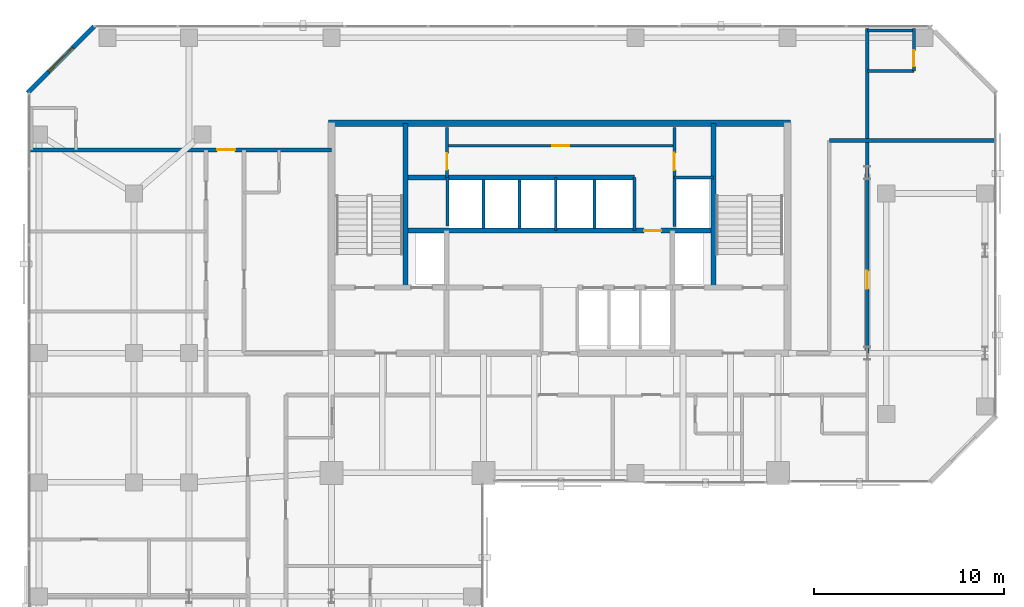
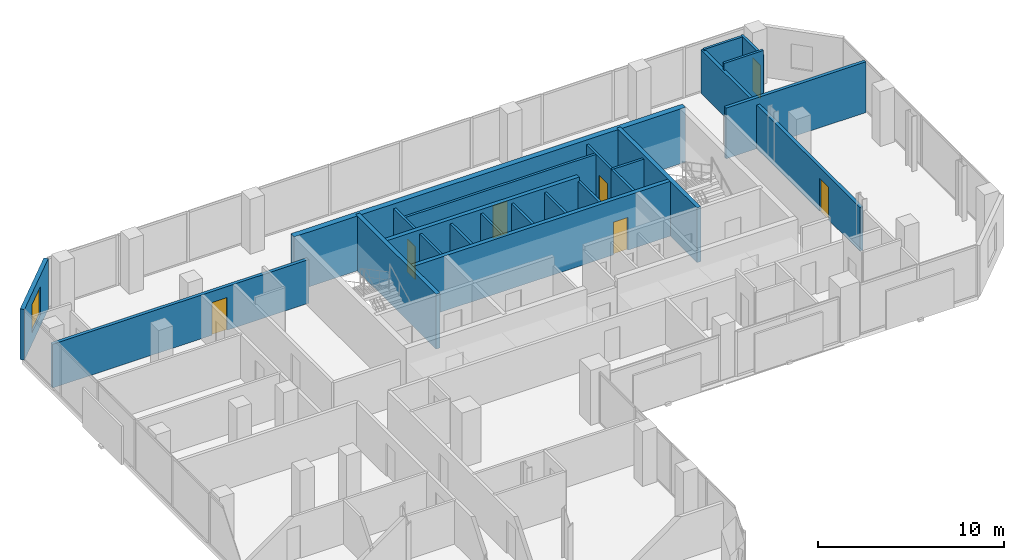
# One storey, part 30 of 34: 23 walls, 7 doors, 1 window, 8 openings.
"""IFC4 building model written with IfcOpenShell, lengths in metres."""

from ifc_helpers import new_model, si_unit, direction, frame, frame_2d, origin, place, context, subcontext, project, spatial, rectangle, extrude, material, layer, layer_set, type_object, element, fill, save


model = new_model("IFC4")

# Units and contexts
model_context = context("Model", 3, precision=1e-05, world=origin(), true_north=direction((0.0, 1.0)))
body_context = subcontext(model_context, "Body", "Model", "MODEL_VIEW")
ifc_project = project(units=[si_unit("LENGTHUNIT", "METRE"), si_unit("AREAUNIT", "SQUARE_METRE"), si_unit("VOLUMEUNIT", "CUBIC_METRE"), si_unit("PLANEANGLEUNIT", "RADIAN"), si_unit("MASSUNIT", "GRAM", prefix="KILO")], contexts=[model_context])

# Site, building, storey
site_placement = place(None, origin())
site = spatial("IfcSite", under=ifc_project, at=site_placement, CompositionType="ELEMENT")
building_placement = place(site_placement, origin())
building = spatial("IfcBuilding", under=site, at=building_placement, Name="Catumbela Crestline Tower", CompositionType="ELEMENT")
storey_placement = place(building_placement, frame((0.0, 0.0, 111.6)))
storey = spatial("IfcBuildingStorey", under=building, at=storey_placement, Name="L28", CompositionType="ELEMENT", Elevation=111.6)

# Walls
ifc_material_1 = material(Name="Concrete C50/60", Category="concrete")
ifc_layer_1 = layer(ifc_material_1, 0.25, Name="Concrete C50/60")
ifc_layer_set_1 = layer_set([ifc_layer_1], Name="Concrete C50/60")
wall_type_1 = type_object("IfcWallType", Name="CW-250D", PredefinedType="SHEAR", material=ifc_layer_set_1)
for number, where, z_axis, x_axis, name in (
    (1, (19.9, 34.25, 0.0), (0.0, 0.0, 1.0), (0.0, 1.0, 0.0), "L28 Structural Core Shear Wall WWEB"),
    (2, (36.1, 34.25, 0.0), (0.0, 0.0, 1.0), (0.0, 1.0, 0.0), "L28 Structural Core Shear Wall EWEB"),
):
    element("IfcWall", number, at=place(storey_placement, frame(where, z_axis=z_axis, x_axis=x_axis)), inside=storey, type_object=wall_type_1, Name=name, PredefinedType="SHEAR", context=body_context, shape_type="SweptSolid", body=[
        extrude(rectangle(XDim=8.65, YDim=0.25, at=frame_2d((4.325, 0.0))), origin(), (0.0, 0.0, 1.0), 3.6),
    ])

# Wall, opening, door
wall_1_placement = place(storey_placement, frame((19.9, 37.25, 0.0), z_axis=(0.0, 0.0, 1.0), x_axis=(1.0, 0.0, 0.0)))
wall_1 = element("IfcWall", 3, at=wall_1_placement, inside=storey, type_object=wall_type_1, Name="L28 Structural Core Shear Wall LIFTN", PredefinedType="SHEAR", context=body_context, shape_type="SweptSolid", body=[
    extrude(rectangle(XDim=16.2, YDim=0.25, at=frame_2d((8.1, 0.0))), origin(), (0.0, 0.0, 1.0), 3.6),
])
opening_1_placement = place(wall_1_placement, frame((12.55, 0.0, 0.0)))
opening_1 = element("IfcOpeningElement", 4, at=opening_1_placement, cuts=wall_1, Name="Opening DF9-090", PredefinedType="OPENING", context=body_context, shape_type="SweptSolid", body=[
    extrude(rectangle(XDim=0.9, YDim=2.15, at=frame_2d((0.45, 1.075))), frame((0.0, 0.135, 0.0), z_axis=(0.0, -1.0, 0.0), x_axis=(1.0, 0.0, 0.0)), (0.0, 0.0, 1.0), 0.27),
])
ifc_material_2 = material(Name="Stainless steel EN 1.4401", Category="steel")
door_type_1 = type_object("IfcDoorType", Name="DF9-090", OperationType="NOTDEFINED", PredefinedType="DOOR", material=ifc_material_2)
door_1_placement = place(opening_1_placement, origin())
door_1 = element("IfcDoor", 5, at=door_1_placement, inside=storey, type_object=door_type_1, Name="L28 Interior Door DR-L28-CPAS1", OperationType="SINGLE_SWING_LEFT", OverallHeight=2.15, OverallWidth=0.9, PredefinedType="DOOR", context=body_context, shape_type="SweptSolid", body=[
    extrude(rectangle(XDim=0.9, YDim=2.15, at=frame_2d((0.45, 1.075))), frame((0.0, 0.025, 0.0), z_axis=(0.0, -1.0, 0.0), x_axis=(1.0, 0.0, 0.0)), (0.0, 0.0, 1.0), 0.05),
])
fill(opening_1, door_1)

# Walls
wall_2_placement = place(storey_placement, frame((19.9, 40.05, 0.0), z_axis=(0.0, 0.0, 1.0), x_axis=(1.0, 0.0, 0.0)))
element("IfcWall", 6, at=wall_2_placement, inside=storey, type_object=wall_type_1, Name="L28 Structural Core Shear Wall COREN", PredefinedType="SHEAR", context=body_context, shape_type="SweptSolid", body=[
    extrude(rectangle(XDim=12.05, YDim=0.25, at=frame_2d((6.025, 0.0))), origin(), (0.0, 0.0, 1.0), 3.6),
])
ifc_layer_2 = layer(ifc_material_1, 0.35, Name="Concrete C50/60")
ifc_layer_set_2 = layer_set([ifc_layer_2], Name="Concrete C50/60")
wall_type_2 = type_object("IfcWallType", Name="CW-350B", PredefinedType="SHEAR", material=ifc_layer_set_2)
wall_3_placement = place(storey_placement, frame((15.85, 42.9, 0.0), z_axis=(0.0, 0.0, 1.0), x_axis=(1.0, 0.0, 0.0)))
element("IfcWall", 7, at=wall_3_placement, inside=storey, type_object=wall_type_2, Name="L28 Structural Core Shear Wall N", PredefinedType="SHEAR", context=body_context, shape_type="SweptSolid", body=[
    extrude(rectangle(XDim=24.3, YDim=0.35, at=frame_2d((12.15, 0.0))), origin(), (0.0, 0.0, 1.0), 3.6),
])
ifc_material_3 = material(Name="Acoustic gypsum and mineral-wool partition")
ifc_layer_3 = layer(ifc_material_3, 0.2, Name="Acoustic gypsum and mineral-wool partition")
ifc_layer_set_3 = layer_set([ifc_layer_3], Name="Acoustic gypsum and mineral-wool partition")
wall_type_3 = type_object("IfcWallType", Name="WC-200", PredefinedType="PARTITIONING", material=ifc_layer_set_3)
wall_4_placement = place(storey_placement, frame((42.2, 42.0, 0.0), z_axis=(0.0, 0.0, 1.0), x_axis=(1.0, 0.0, 0.0)))
element("IfcWall", 8, at=wall_4_placement, inside=storey, type_object=wall_type_3, Name="L28 Interior Partition PW-L28-Z2CW-E3", PredefinedType="PARTITIONING", context=body_context, shape_type="SweptSolid", body=[
    extrude(rectangle(XDim=8.7, YDim=0.2, at=frame_2d((4.35, 0.0))), origin(), (0.0, 0.0, 1.0), 3.33),
])

# Wall, opening, door
wall_5_placement = place(storey_placement, frame((0.1, 41.5, 0.0), z_axis=(0.0, 0.0, 1.0), x_axis=(1.0, 0.0, 0.0)))
wall_5 = element("IfcWall", 9, at=wall_5_placement, inside=storey, type_object=wall_type_3, Name="L28 Interior Partition PW-L28-Z2NWT-ENT", PredefinedType="PARTITIONING", context=body_context, shape_type="SweptSolid", body=[
    extrude(rectangle(XDim=15.9, YDim=0.2, at=frame_2d((7.95, 0.0))), origin(), (0.0, 0.0, 1.0), 2.87),
])
opening_2_placement = place(wall_5_placement, frame((9.8771, 0.0, 0.0)))
opening_2 = element("IfcOpeningElement", 10, at=opening_2_placement, cuts=wall_5, Name="Opening DF6-095", PredefinedType="OPENING", context=body_context, shape_type="SweptSolid", body=[
    extrude(rectangle(XDim=0.95, YDim=2.15, at=frame_2d((0.475, 1.075))), frame((0.0, 0.11, 0.0), z_axis=(0.0, -1.0, 0.0), x_axis=(1.0, 0.0, 0.0)), (0.0, 0.0, 1.0), 0.22),
])
ifc_material_4 = material(Name="Aluminium alloy AW-6060-T66", Category="aluminium")
door_type_2 = type_object("IfcDoorType", Name="DF6-095", OperationType="NOTDEFINED", PredefinedType="DOOR", material=ifc_material_4)
door_2_placement = place(opening_2_placement, origin())
door_2 = element("IfcDoor", 11, at=door_2_placement, inside=storey, type_object=door_type_2, Name="L28 Interior Door DR-L28-Z2NWT-ENT", OperationType="SINGLE_SWING_RIGHT", OverallHeight=2.15, OverallWidth=0.95, PredefinedType="DOOR", context=body_context, shape_type="SweptSolid", body=[
    extrude(rectangle(XDim=0.95, YDim=2.15, at=frame_2d((0.475, 1.075))), frame((0.0, 0.025, 0.0), z_axis=(0.0, -1.0, 0.0), x_axis=(1.0, 0.0, 0.0)), (0.0, 0.0, 1.0), 0.05),
])
fill(opening_2, door_2)

wall_6_placement = place(storey_placement, frame((44.2, 30.8, 0.0), z_axis=(0.0, 0.0, 1.0), x_axis=(0.0, 1.0, 0.0)))
wall_6 = element("IfcWall", 12, at=wall_6_placement, inside=storey, type_object=wall_type_3, Name="L28 Interior Partition PW-L28-SE1-ENT", PredefinedType="PARTITIONING", context=body_context, shape_type="SweptSolid", body=[
    extrude(rectangle(XDim=17.1, YDim=0.2, at=frame_2d((8.55, 0.0))), origin(), (0.0, 0.0, 1.0), 2.87),
])
opening_3_placement = place(wall_6_placement, frame((3.3825, 0.0, 0.0)))
opening_3 = element("IfcOpeningElement", 13, at=opening_3_placement, cuts=wall_6, Name="Opening DF6-095", PredefinedType="OPENING", context=body_context, shape_type="SweptSolid", body=[
    extrude(rectangle(XDim=0.95, YDim=2.15, at=frame_2d((0.475, 1.075))), frame((0.0, 0.11, 0.0), z_axis=(0.0, -1.0, 0.0), x_axis=(1.0, 0.0, 0.0)), (0.0, 0.0, 1.0), 0.22),
])
door_3_placement = place(opening_3_placement, origin())
door_3 = element("IfcDoor", 14, at=door_3_placement, inside=storey, type_object=door_type_2, Name="L28 Interior Door DR-L28-SE1-ENT", OperationType="SINGLE_SWING_RIGHT", OverallHeight=2.15, OverallWidth=0.95, PredefinedType="DOOR", context=body_context, shape_type="SweptSolid", body=[
    extrude(rectangle(XDim=0.95, YDim=2.15, at=frame_2d((0.475, 1.075))), frame((0.0, 0.025, 0.0), z_axis=(0.0, -1.0, 0.0), x_axis=(1.0, 0.0, 0.0)), (0.0, 0.0, 1.0), 0.05),
])
fill(opening_3, door_3)

# Wall, opening, window
ifc_material_5 = material(Name="Angolan grey-ochre granite", Category="masonry")
ifc_layer_4 = layer(ifc_material_5, 0.25, Name="Angolan grey-ochre granite")
ifc_layer_set_4 = layer_set([ifc_layer_4], Name="Angolan grey-ochre granite")
wall_type_4 = type_object("IfcWallType", Name="WE-250", PredefinedType="STANDARD", material=ifc_layer_set_4)
wall_7_placement = place(storey_placement, frame((3.5, 48.0, 0.0), z_axis=(0.0, 0.0, 1.0), x_axis=(-0.707106781187, -0.707106781187, 0.0)))
wall_7 = element("IfcWall", 15, at=wall_7_placement, inside=storey, type_object=wall_type_4, Name="L28 Granite Punched Window Wall 8-1", PredefinedType="STANDARD", context=body_context, shape_type="SweptSolid", body=[
    extrude(rectangle(XDim=4.9497, YDim=0.25, at=frame_2d((2.4748, 0.0))), origin(), (0.0, 0.0, 1.0), 3.33),
])
opening_4_placement = place(wall_7_placement, frame((1.5749, 0.0, 0.75)))
opening_4 = element("IfcOpeningElement", 16, at=opening_4_placement, cuts=wall_7, Name="Opening WN-01", PredefinedType="OPENING", context=body_context, shape_type="SweptSolid", body=[
    extrude(rectangle(XDim=1.8, YDim=1.85, at=frame_2d((0.9, 0.925))), frame((0.0, 0.135, 0.0), z_axis=(0.0, -1.0, 0.0), x_axis=(1.0, 0.0, 0.0)), (0.0, 0.0, 1.0), 0.27),
])
ifc_material_6 = material(Name="Low-E laminated solar-control double glazing", Category="glass")
window_type = type_object("IfcWindowType", Name="WF-1800", PartitioningType="SINGLE_PANEL", PredefinedType="WINDOW", material=ifc_material_6)
window_placement = place(opening_4_placement, origin())
window = element("IfcWindow", 17, at=window_placement, inside=storey, type_object=window_type, Name="L28 Facade Vision Window 163", OverallHeight=1.85, OverallWidth=1.8, PartitioningType="SINGLE_PANEL", PredefinedType="WINDOW", context=body_context, shape_type="SweptSolid", body=[
    extrude(rectangle(XDim=1.8, YDim=1.85, at=frame_2d((0.9, 0.925))), frame((0.0, 0.03, 0.0), z_axis=(0.0, -1.0, 0.0), x_axis=(1.0, 0.0, 0.0)), (0.0, 0.0, 1.0), 0.06),
])
fill(opening_4, window)

# Wall
ifc_layer_5 = layer(ifc_material_3, 0.15, Name="Acoustic gypsum and mineral-wool partition")
ifc_layer_set_5 = layer_set([ifc_layer_5], Name="Acoustic gypsum and mineral-wool partition")
wall_type_5 = type_object("IfcWallType", Name="WP-150", PredefinedType="PARTITIONING", material=ifc_layer_set_5)
wall_8_placement = place(storey_placement, frame((34.05, 40.05, 0.0), z_axis=(0.0, 0.0, 1.0), x_axis=(1.0, 0.0, 0.0)))
element("IfcWall", 18, at=wall_8_placement, inside=storey, type_object=wall_type_5, Name="L28 Interior Partition PW-L28-CR-ES", PredefinedType="PARTITIONING", context=body_context, shape_type="SweptSolid", body=[
    extrude(rectangle(XDim=2.05, YDim=0.15, at=frame_2d((1.025, 0.0))), origin(), (0.0, 0.0, 1.0), 3.33),
])

# Wall, opening, door
wall_9_placement = place(storey_placement, frame((34.05, 40.05, 0.0), z_axis=(0.0, 0.0, 1.0), x_axis=(0.0, 1.0, 0.0)))
wall_9 = element("IfcWall", 19, at=wall_9_placement, inside=storey, type_object=wall_type_5, Name="L28 Interior Partition PW-L28-CR-EW", PredefinedType="PARTITIONING", context=body_context, shape_type="SweptSolid", body=[
    extrude(rectangle(XDim=2.63, YDim=0.15, at=frame_2d((1.315, 0.0))), origin(), (0.0, 0.0, 1.0), 3.33),
])
opening_5_placement = place(wall_9_placement, frame((0.385, 0.0, 0.0)))
opening_5 = element("IfcOpeningElement", 20, at=opening_5_placement, cuts=wall_9, Name="Opening DF9-090", PredefinedType="OPENING", context=body_context, shape_type="SweptSolid", body=[
    extrude(rectangle(XDim=0.9, YDim=2.15, at=frame_2d((0.45, 1.075))), frame((0.0, 0.085, 0.0), z_axis=(0.0, -1.0, 0.0), x_axis=(1.0, 0.0, 0.0)), (0.0, 0.0, 1.0), 0.17),
])
door_4_placement = place(opening_5_placement, origin())
door_4 = element("IfcDoor", 21, at=door_4_placement, inside=storey, type_object=door_type_1, Name="L28 Interior Door DR-L28-CREAST", OperationType="SINGLE_SWING_RIGHT", OverallHeight=2.15, OverallWidth=0.9, PredefinedType="DOOR", context=body_context, shape_type="SweptSolid", body=[
    extrude(rectangle(XDim=0.9, YDim=2.15, at=frame_2d((0.45, 1.075))), frame((0.0, 0.025, 0.0), z_axis=(0.0, -1.0, 0.0), x_axis=(1.0, 0.0, 0.0)), (0.0, 0.0, 1.0), 0.05),
])
fill(opening_5, door_4)

wall_10_placement = place(storey_placement, frame((22.08, 40.05, 0.0), z_axis=(0.0, 0.0, 1.0), x_axis=(0.0, 1.0, 0.0)))
wall_10 = element("IfcWall", 22, at=wall_10_placement, inside=storey, type_object=wall_type_5, Name="L28 Interior Partition PW-L28-CR-WCW", PredefinedType="PARTITIONING", context=body_context, shape_type="SweptSolid", body=[
    extrude(rectangle(XDim=2.63, YDim=0.15, at=frame_2d((1.315, 0.0))), origin(), (0.0, 0.0, 1.0), 3.33),
])
opening_6_placement = place(wall_10_placement, frame((0.41, 0.0, 0.0)))
opening_6 = element("IfcOpeningElement", 23, at=opening_6_placement, cuts=wall_10, Name="Opening DI-085", PredefinedType="OPENING", context=body_context, shape_type="SweptSolid", body=[
    extrude(rectangle(XDim=0.85, YDim=2.15, at=frame_2d((0.425, 1.075))), frame((0.0, 0.085, 0.0), z_axis=(0.0, -1.0, 0.0), x_axis=(1.0, 0.0, 0.0)), (0.0, 0.0, 1.0), 0.17),
])
door_type_3 = type_object("IfcDoorType", Name="DI-085", OperationType="NOTDEFINED", PredefinedType="DOOR", material=ifc_material_4)
door_5_placement = place(opening_6_placement, origin())
door_5 = element("IfcDoor", 24, at=door_5_placement, inside=storey, type_object=door_type_3, Name="L28 Interior Door DR-L28-CRWC", OperationType="SINGLE_SWING_LEFT", OverallHeight=2.15, OverallWidth=0.85, PredefinedType="DOOR", context=body_context, shape_type="SweptSolid", body=[
    extrude(rectangle(XDim=0.85, YDim=2.15, at=frame_2d((0.425, 1.075))), frame((0.0, 0.025, 0.0), z_axis=(0.0, -1.0, 0.0), x_axis=(1.0, 0.0, 0.0)), (0.0, 0.0, 1.0), 0.05),
])
fill(opening_6, door_5)

wall_11_placement = place(storey_placement, frame((22.08, 41.72, 0.0), z_axis=(0.0, 0.0, 1.0), x_axis=(1.0, 0.0, 0.0)))
wall_11 = element("IfcWall", 25, at=wall_11_placement, inside=storey, type_object=wall_type_5, Name="L28 Interior Partition PW-L28-CR-MID", PredefinedType="PARTITIONING", context=body_context, shape_type="SweptSolid", body=[
    extrude(rectangle(XDim=11.97, YDim=0.15, at=frame_2d((5.985, 0.0))), origin(), (0.0, 0.0, 1.0), 3.33),
])
opening_7_placement = place(wall_11_placement, frame((5.535, 0.0, 0.0)))
opening_7 = element("IfcOpeningElement", 26, at=opening_7_placement, cuts=wall_11, Name="Opening DF9-090", PredefinedType="OPENING", context=body_context, shape_type="SweptSolid", body=[
    extrude(rectangle(XDim=0.9, YDim=2.15, at=frame_2d((0.45, 1.075))), frame((0.0, 0.085, 0.0), z_axis=(0.0, -1.0, 0.0), x_axis=(1.0, 0.0, 0.0)), (0.0, 0.0, 1.0), 0.17),
])
door_6_placement = place(opening_7_placement, origin())
door_6 = element("IfcDoor", 27, at=door_6_placement, inside=storey, type_object=door_type_1, Name="L28 Interior Door DR-L28-CRMID", OperationType="SINGLE_SWING_LEFT", OverallHeight=2.15, OverallWidth=0.9, PredefinedType="DOOR", context=body_context, shape_type="SweptSolid", body=[
    extrude(rectangle(XDim=0.9, YDim=2.15, at=frame_2d((0.45, 1.075))), frame((0.0, 0.025, 0.0), z_axis=(0.0, -1.0, 0.0), x_axis=(1.0, 0.0, 0.0)), (0.0, 0.0, 1.0), 0.05),
])
fill(opening_7, door_6)

# Wall
wall_12_placement = place(storey_placement, frame((44.2, 45.65, 0.0), z_axis=(0.0, 0.0, 1.0), x_axis=(1.0, 0.0, 0.0)))
element("IfcWall", 28, at=wall_12_placement, inside=storey, type_object=wall_type_5, Name="L28 Interior Partition PW-L28-SE1-BSW", PredefinedType="PARTITIONING", context=body_context, shape_type="SweptSolid", body=[
    extrude(rectangle(XDim=2.45, YDim=0.15, at=frame_2d((1.225, 0.0))), origin(), (0.0, 0.0, 1.0), 3.33),
])

# Wall, opening, door
wall_13_placement = place(storey_placement, frame((46.65, 45.65, 0.0), z_axis=(0.0, 0.0, 1.0), x_axis=(0.0, 1.0, 0.0)))
wall_13 = element("IfcWall", 29, at=wall_13_placement, inside=storey, type_object=wall_type_5, Name="L28 Interior Partition PW-L28-SE1-BEW", PredefinedType="PARTITIONING", context=body_context, shape_type="SweptSolid", body=[
    extrude(rectangle(XDim=2.25, YDim=0.15, at=frame_2d((1.125, 0.0))), origin(), (0.0, 0.0, 1.0), 2.96),
])
opening_8_placement = place(wall_13_placement, frame((0.24, 0.0, 0.0)))
opening_8 = element("IfcOpeningElement", 30, at=opening_8_placement, cuts=wall_13, Name="Opening DI-085", PredefinedType="OPENING", context=body_context, shape_type="SweptSolid", body=[
    extrude(rectangle(XDim=0.85, YDim=2.15, at=frame_2d((0.425, 1.075))), frame((0.0, 0.085, 0.0), z_axis=(0.0, -1.0, 0.0), x_axis=(1.0, 0.0, 0.0)), (0.0, 0.0, 1.0), 0.17),
])
door_7_placement = place(opening_8_placement, origin())
door_7 = element("IfcDoor", 31, at=door_7_placement, inside=storey, type_object=door_type_3, Name="L28 Interior Door DR-L28-SE1-BTH", OperationType="SINGLE_SWING_LEFT", OverallHeight=2.15, OverallWidth=0.85, PredefinedType="DOOR", context=body_context, shape_type="SweptSolid", body=[
    extrude(rectangle(XDim=0.85, YDim=2.15, at=frame_2d((0.425, 1.075))), frame((0.0, 0.025, 0.0), z_axis=(0.0, -1.0, 0.0), x_axis=(1.0, 0.0, 0.0)), (0.0, 0.0, 1.0), 0.05),
])
fill(opening_8, door_7)

# Walls
wall_14_placement = place(storey_placement, frame((44.2, 47.78, 0.0), z_axis=(0.0, 0.0, 1.0), x_axis=(1.0, 0.0, 0.0)))
element("IfcWall", 32, at=wall_14_placement, inside=storey, type_object=wall_type_5, Name="L28 Interior Partition PW-L28-SE1-BCL-2", PredefinedType="PARTITIONING", context=body_context, shape_type="SweptSolid", body=[
    extrude(rectangle(XDim=2.45, YDim=0.15, at=frame_2d((1.225, 0.0))), origin(), (0.0, 0.0, 1.0), 2.96),
])
ifc_layer_6 = layer(ifc_material_3, 0.15, Name="Acoustic gypsum and mineral-wool partition")
ifc_layer_set_6 = layer_set([ifc_layer_6], Name="Acoustic gypsum and mineral-wool partition")
wall_type_6 = type_object("IfcWallType", Name="WS-150", PredefinedType="PLUMBINGWALL", material=ifc_layer_set_6)
wall_15_placement = place(storey_placement, frame((22.1, 37.4897, 0.0), z_axis=(0.0, 0.0, 1.0), x_axis=(0.0, 1.0, 0.0)))
element("IfcWall", 33, at=wall_15_placement, inside=storey, type_object=wall_type_6, Name="L28 Interior Partition PW-L28-SHH0", PredefinedType="PLUMBINGWALL", context=body_context, shape_type="SweptSolid", body=[
    extrude(rectangle(XDim=2.5603, YDim=0.15, at=frame_2d((1.2801, 0.0))), origin(), (0.0, 0.0, 1.0), 3.33),
])
wall_16_placement = place(storey_placement, frame((27.8, 37.25, 0.0), z_axis=(0.0, 0.0, 1.0), x_axis=(0.0, 1.0, 0.0)))
element("IfcWall", 34, at=wall_16_placement, inside=storey, type_object=wall_type_6, Name="L28 Interior Partition PW-L28-SHH3", PredefinedType="PLUMBINGWALL", context=body_context, shape_type="SweptSolid", body=[
    extrude(rectangle(XDim=2.8, YDim=0.15, at=frame_2d((1.4, 0.0))), origin(), (0.0, 0.0, 1.0), 3.33),
])
for number, where, z_axis, x_axis, name in (
    (35, (24.0, 37.35, 0.0), (0.0, 0.0, 1.0), (0.0, 1.0, 0.0), "L28 Interior Partition PW-L28-SHH1"),
    (36, (25.9, 37.35, 0.0), (0.0, 0.0, 1.0), (0.0, 1.0, 0.0), "L28 Interior Partition PW-L28-SHH2"),
):
    element("IfcWall", number, at=place(storey_placement, frame(where, z_axis=z_axis, x_axis=x_axis)), inside=storey, type_object=wall_type_6, Name=name, PredefinedType="PLUMBINGWALL", context=body_context, shape_type="SweptSolid", body=[
        extrude(rectangle(XDim=2.6, YDim=0.15, at=frame_2d((1.3, 0.0))), origin(), (0.0, 0.0, 1.0), 3.33),
    ])
wall_17_placement = place(storey_placement, frame((31.95, 37.25, 0.0), z_axis=(0.0, 0.0, 1.0), x_axis=(0.0, 1.0, 0.0)))
element("IfcWall", 37, at=wall_17_placement, inside=storey, type_object=wall_type_6, Name="L28 Interior Partition PW-L28-SHEX2E", PredefinedType="PLUMBINGWALL", context=body_context, shape_type="SweptSolid", body=[
    extrude(rectangle(XDim=2.8, YDim=0.15, at=frame_2d((1.4, 0.0))), origin(), (0.0, 0.0, 1.0), 3.33),
])
wall_18_placement = place(storey_placement, frame((29.85, 37.35, 0.0), z_axis=(0.0, 0.0, 1.0), x_axis=(0.0, 1.0, 0.0)))
element("IfcWall", 38, at=wall_18_placement, inside=storey, type_object=wall_type_6, Name="L28 Interior Partition PW-L28-SHEX1", PredefinedType="PLUMBINGWALL", context=body_context, shape_type="SweptSolid", body=[
    extrude(rectangle(XDim=2.6, YDim=0.15, at=frame_2d((1.3, 0.0))), origin(), (0.0, 0.0, 1.0), 3.33),
])
wall_19_placement = place(storey_placement, frame((34.05, 37.4734, 0.0), z_axis=(0.0, 0.0, 1.0), x_axis=(0.0, 1.0, 0.0)))
element("IfcWall", 39, at=wall_19_placement, inside=storey, type_object=wall_type_6, Name="L28 Interior Partition PW-L28-RISW", PredefinedType="PLUMBINGWALL", context=body_context, shape_type="SweptSolid", body=[
    extrude(rectangle(XDim=2.5766, YDim=0.15, at=frame_2d((1.2883, 0.0))), origin(), (0.0, 0.0, 1.0), 3.33),
])

save(model, "model.ifc")
